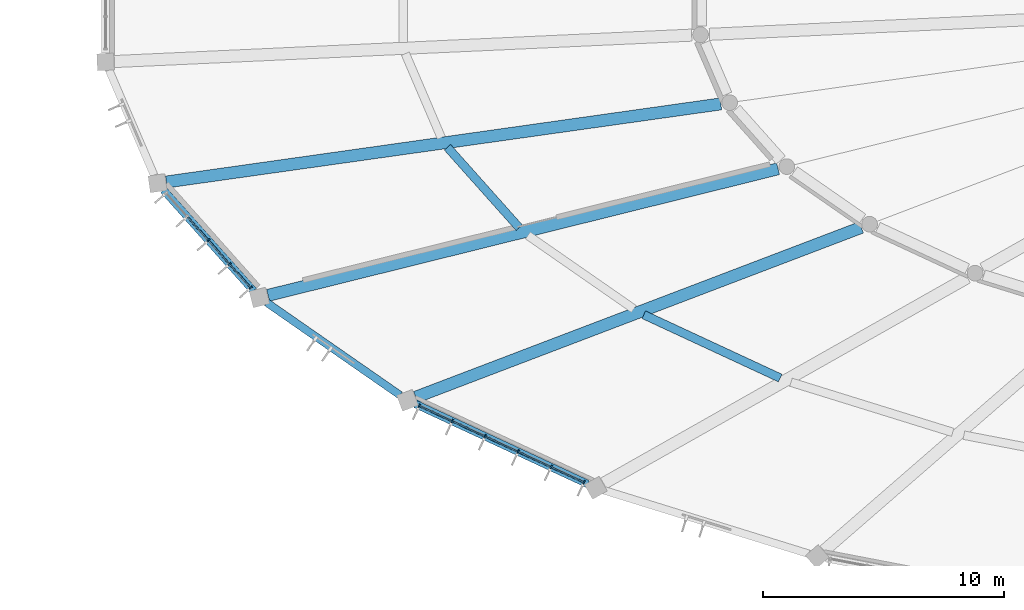
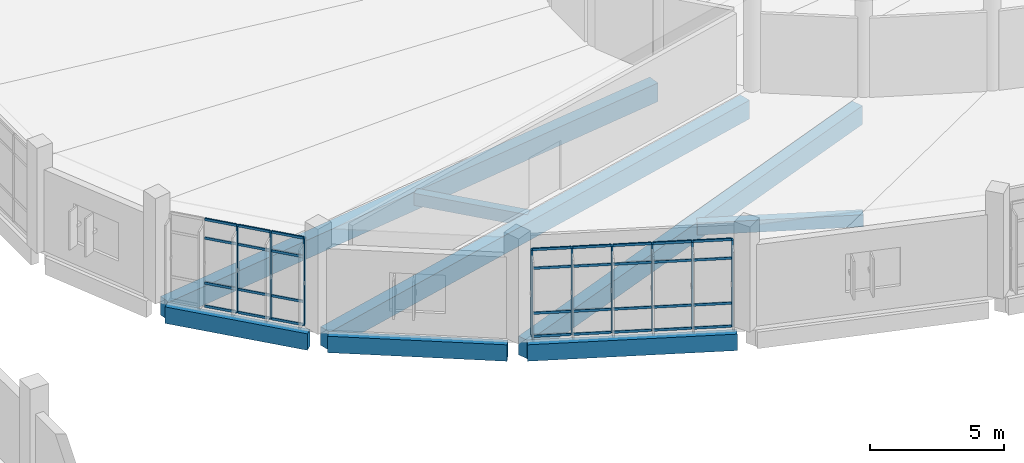
# One storey, part 32 of 179: 41 members, 8 beams, 2 elements without a shape of their own.
"""IFC4 building model written with IfcOpenShell, lengths in metres."""

from ifc_helpers import new_model, si_unit, direction, frame, origin, origin_2d, place, context, subcontext, project, spatial, rectangle, extrude, material, layer, layer_set, material_profile, profile_set, type_object, element, aggregate, save


model = new_model("IFC4")

# Units and contexts
model_context = context("Model", 3, precision=1e-05, world=origin(), true_north=direction((0.0, 1.0)))
body_context = subcontext(model_context, "Body", "Model", "MODEL_VIEW")
ifc_project = project(units=[si_unit("LENGTHUNIT", "METRE"), si_unit("AREAUNIT", "SQUARE_METRE"), si_unit("VOLUMEUNIT", "CUBIC_METRE"), si_unit("PLANEANGLEUNIT", "RADIAN"), si_unit("MASSUNIT", "GRAM", prefix="KILO")], contexts=[model_context])

# Site, building, storey
site_placement = place(None, origin())
site = spatial("IfcSite", under=ifc_project, at=site_placement, CompositionType="ELEMENT")
building_placement = place(site_placement, origin())
building = spatial("IfcBuilding", under=site, at=building_placement, Name="Corvandel Quay Wholesale Market", CompositionType="ELEMENT")
storey_placement = place(building_placement, frame((0.0, 0.0, 6.0)))
storey = spatial("IfcBuildingStorey", under=building, at=storey_placement, Name="L01", CompositionType="ELEMENT", Elevation=6.0)

# Curtain wall, members
ifc_material_1 = material(Name="Bronze anodised aluminium and low-E insulated glazing", Category="aluminium")
ifc_layer_1 = layer(ifc_material_1, 0.197998046875)
ifc_layer_set_1 = layer_set([ifc_layer_1], Name="Bronze anodised aluminium and low-E insulated glazing")
curtain_wall_type_1 = type_object("IfcCurtainWallType", Name="Stick Curtain Wall System CW24 H5160", PredefinedType="NOTDEFINED", material=ifc_layer_set_1)
curtain_wall_1_placement = place(storey_placement, origin())
curtain_wall_1 = element("IfcCurtainWall", 1, at=curtain_wall_1_placement, inside=storey, type_object=curtain_wall_type_1, Name="Curtain Wall CW-0105", PredefinedType="NOTDEFINED")
ifc_material_2 = material(Name="Anodised aluminium 6063-T6", Category="aluminium")
ifc_material_profile_1 = material_profile(ifc_material_2, rectangle(XDim=0.06494140625, YDim=0.14990234375, at=origin_2d()), Name="ALU-MUL-65x150")
ifc_profile_set_1 = profile_set([ifc_material_profile_1], Name="Anodised aluminium 6063-T6")
member_type_1 = type_object("IfcMemberType", Name="Curtain Wall Mullion ML02 65x150", PredefinedType="MULLION", material=ifc_profile_set_1)
member_1_placement = place(storey_placement, frame((62.262451171875, 106.050048828125, 0.0), z_axis=(0.0, 0.0, 1.0), x_axis=(-0.665621202286, 0.746289766155, 0.0)))
member_1 = element("IfcMember", 2, at=member_1_placement, type_object=member_type_1, Name="Mullion CW-0105-M02", PredefinedType="MULLION", context=body_context, shape_type="SweptSolid", body=[
    extrude(rectangle(XDim=0.06494140625, YDim=0.14990234375, at=origin_2d()), origin(), (0.0, 0.0, 1.0), 3.949951171875),
])
member_2_placement = place(storey_placement, frame((63.137939453125, 105.068603515625, 0.0), z_axis=(0.0, 0.0, 1.0), x_axis=(-0.665621202286, 0.746289766155, 0.0)))
member_2 = element("IfcMember", 3, at=member_2_placement, type_object=member_type_1, Name="Mullion CW-0105-M03", PredefinedType="MULLION", context=body_context, shape_type="SweptSolid", body=[
    extrude(rectangle(XDim=0.06494140625, YDim=0.14990234375, at=origin_2d()), origin(), (0.0, 0.0, 1.0), 3.949951171875),
])
member_3_placement = place(storey_placement, frame((64.013671875, 104.0869140625, 0.0), z_axis=(0.0, 0.0, 1.0), x_axis=(-0.665621202286, 0.746289766155, 0.0)))
member_3 = element("IfcMember", 4, at=member_3_placement, type_object=member_type_1, Name="Mullion CW-0105-M04", PredefinedType="MULLION", context=body_context, shape_type="SweptSolid", body=[
    extrude(rectangle(XDim=0.06494140625, YDim=0.14990234375, at=origin_2d()), origin(), (0.0, 0.0, 1.0), 3.949951171875),
])

ifc_layer_2 = layer(ifc_material_1, 0.162109375)
ifc_layer_set_2 = layer_set([ifc_layer_2], Name="Bronze anodised aluminium and low-E insulated glazing")
curtain_wall_type_2 = type_object("IfcCurtainWallType", Name="Stick Curtain Wall System CW26 H5340", PredefinedType="NOTDEFINED", material=ifc_layer_set_2)
curtain_wall_2_placement = place(storey_placement, origin())
curtain_wall_2 = element("IfcCurtainWall", 5, at=curtain_wall_2_placement, inside=storey, type_object=curtain_wall_type_2, Name="Curtain Wall CW-0107", PredefinedType="NOTDEFINED")
member_4_placement = place(storey_placement, frame((70.99169921875, 99.198486328125, 0.0), z_axis=(0.0, 0.0, 1.0), x_axis=(-0.906970515865, 0.421194115999, 0.0)))
member_4 = element("IfcMember", 6, at=member_4_placement, type_object=member_type_1, Name="Mullion CW-0107-M00", PredefinedType="MULLION", context=body_context, shape_type="SweptSolid", body=[
    extrude(rectangle(XDim=0.06494140625, YDim=0.14990234375, at=origin_2d()), origin(), (0.0, 0.0, 1.0), 3.949951171875),
])
member_5_placement = place(storey_placement, frame((72.35595703125, 98.565185546875, 0.0), z_axis=(0.0, 0.0, 1.0), x_axis=(-0.906970515865, 0.421194115999, 0.0)))
member_5 = element("IfcMember", 7, at=member_5_placement, type_object=member_type_1, Name="Mullion CW-0107-M01", PredefinedType="MULLION", context=body_context, shape_type="SweptSolid", body=[
    extrude(rectangle(XDim=0.06494140625, YDim=0.14990234375, at=origin_2d()), origin(), (0.0, 0.0, 1.0), 3.949951171875),
])
member_6_placement = place(storey_placement, frame((73.719970703125, 97.931640625, 0.0), z_axis=(0.0, 0.0, 1.0), x_axis=(-0.906970515865, 0.421194115999, 0.0)))
member_6 = element("IfcMember", 8, at=member_6_placement, type_object=member_type_1, Name="Mullion CW-0107-M02", PredefinedType="MULLION", context=body_context, shape_type="SweptSolid", body=[
    extrude(rectangle(XDim=0.06494140625, YDim=0.14990234375, at=origin_2d()), origin(), (0.0, 0.0, 1.0), 3.949951171875),
])
member_7_placement = place(storey_placement, frame((75.083984375, 97.29833984375, 0.0), z_axis=(0.0, 0.0, 1.0), x_axis=(-0.906970515865, 0.421194115999, 0.0)))
member_7 = element("IfcMember", 9, at=member_7_placement, type_object=member_type_1, Name="Mullion CW-0107-M03", PredefinedType="MULLION", context=body_context, shape_type="SweptSolid", body=[
    extrude(rectangle(XDim=0.06494140625, YDim=0.14990234375, at=origin_2d()), origin(), (0.0, 0.0, 1.0), 3.949951171875),
])
member_8_placement = place(storey_placement, frame((76.447998046875, 96.664794921875, 0.0), z_axis=(0.0, 0.0, 1.0), x_axis=(-0.906970515865, 0.421194115999, 0.0)))
member_8 = element("IfcMember", 10, at=member_8_placement, type_object=member_type_1, Name="Mullion CW-0107-M04", PredefinedType="MULLION", context=body_context, shape_type="SweptSolid", body=[
    extrude(rectangle(XDim=0.06494140625, YDim=0.14990234375, at=origin_2d()), origin(), (0.0, 0.0, 1.0), 3.949951171875),
])
member_9_placement = place(storey_placement, frame((77.812255859375, 96.031494140625, 0.0), z_axis=(0.0, 0.0, 1.0), x_axis=(-0.906970515865, 0.421194115999, 0.0)))
member_9 = element("IfcMember", 11, at=member_9_placement, type_object=member_type_1, Name="Mullion CW-0107-M05", PredefinedType="MULLION", context=body_context, shape_type="SweptSolid", body=[
    extrude(rectangle(XDim=0.06494140625, YDim=0.14990234375, at=origin_2d()), origin(), (0.0, 0.0, 1.0), 3.949951171875),
])

# Member
ifc_material_profile_2 = material_profile(ifc_material_2, rectangle(XDim=0.06005859375, YDim=0.110107421875, at=origin_2d()), Name="ALU-TRN-60x110")
ifc_profile_set_2 = profile_set([ifc_material_profile_2], Name="Anodised aluminium 6063-T6")
member_type_2 = type_object("IfcMemberType", Name="Curtain Wall Transom TR02 60x110", PredefinedType="USERDEFINED", material=ifc_profile_set_2)
member_10_placement = place(storey_placement, frame((61.40869140625, 107.007080078125, 0.0), z_axis=(0.665732423865, -0.746190551947, 0.0), x_axis=(0.746190551947, 0.665732423865, 0.0)))
member_10 = element("IfcMember", 12, at=member_10_placement, type_object=member_type_2, Name="Transom CW-0105-T01-0", ObjectType="TRANSOM", PredefinedType="USERDEFINED", context=body_context, shape_type="SweptSolid", body=[
    extrude(rectangle(XDim=0.06005859375, YDim=0.110107421875, at=origin_2d()), origin(), (0.0, 0.0, 1.0), 1.250244140625),
])

member_11_placement = place(storey_placement, frame((61.40869140625, 107.007080078125, 1.050048828125), z_axis=(0.665732423865, -0.746190551947, 0.0), x_axis=(0.746190551947, 0.665732423865, 0.0)))
member_11 = element("IfcMember", 13, at=member_11_placement, type_object=member_type_2, Name="Transom CW-0105-T01-1", ObjectType="TRANSOM", PredefinedType="USERDEFINED", context=body_context, shape_type="SweptSolid", body=[
    extrude(rectangle(XDim=0.06005859375, YDim=0.110107421875, at=origin_2d()), origin(), (0.0, 0.0, 1.0), 1.250244140625),
])

member_12_placement = place(storey_placement, frame((61.40869140625, 107.007080078125, 3.10009765625), z_axis=(0.665732423865, -0.746190551947, 0.0), x_axis=(0.746190551947, 0.665732423865, 0.0)))
member_12 = element("IfcMember", 14, at=member_12_placement, type_object=member_type_2, Name="Transom CW-0105-T01-2", ObjectType="TRANSOM", PredefinedType="USERDEFINED", context=body_context, shape_type="SweptSolid", body=[
    extrude(rectangle(XDim=0.06005859375, YDim=0.110107421875, at=origin_2d()), origin(), (0.0, 0.0, 1.0), 1.250244140625),
])

member_13_placement = place(storey_placement, frame((61.40869140625, 107.007080078125, 3.949951171875), z_axis=(0.665732423865, -0.746190551947, 0.0), x_axis=(0.746190551947, 0.665732423865, 0.0)))
member_13 = element("IfcMember", 15, at=member_13_placement, type_object=member_type_2, Name="Transom CW-0105-T01-3", ObjectType="TRANSOM", PredefinedType="USERDEFINED", context=body_context, shape_type="SweptSolid", body=[
    extrude(rectangle(XDim=0.06005859375, YDim=0.110107421875, at=origin_2d()), origin(), (0.0, 0.0, 1.0), 1.250244140625),
])

member_14_placement = place(storey_placement, frame((62.2841796875, 106.025634765625, 0.0), z_axis=(0.665732423865, -0.746190551947, 0.0), x_axis=(0.746190551947, 0.665732423865, 0.0)))
member_14 = element("IfcMember", 16, at=member_14_placement, type_object=member_type_2, Name="Transom CW-0105-T02-0", ObjectType="TRANSOM", PredefinedType="USERDEFINED", context=body_context, shape_type="SweptSolid", body=[
    extrude(rectangle(XDim=0.06005859375, YDim=0.110107421875, at=origin_2d()), origin(), (0.0, 0.0, 1.0), 1.250244140625),
])

member_15_placement = place(storey_placement, frame((62.2841796875, 106.025634765625, 1.050048828125), z_axis=(0.665732423865, -0.746190551947, 0.0), x_axis=(0.746190551947, 0.665732423865, 0.0)))
member_15 = element("IfcMember", 17, at=member_15_placement, type_object=member_type_2, Name="Transom CW-0105-T02-1", ObjectType="TRANSOM", PredefinedType="USERDEFINED", context=body_context, shape_type="SweptSolid", body=[
    extrude(rectangle(XDim=0.06005859375, YDim=0.110107421875, at=origin_2d()), origin(), (0.0, 0.0, 1.0), 1.250244140625),
])

member_16_placement = place(storey_placement, frame((62.2841796875, 106.025634765625, 3.10009765625), z_axis=(0.665732423865, -0.746190551947, 0.0), x_axis=(0.746190551947, 0.665732423865, 0.0)))
member_16 = element("IfcMember", 18, at=member_16_placement, type_object=member_type_2, Name="Transom CW-0105-T02-2", ObjectType="TRANSOM", PredefinedType="USERDEFINED", context=body_context, shape_type="SweptSolid", body=[
    extrude(rectangle(XDim=0.06005859375, YDim=0.110107421875, at=origin_2d()), origin(), (0.0, 0.0, 1.0), 1.250244140625),
])

member_17_placement = place(storey_placement, frame((62.2841796875, 106.025634765625, 3.949951171875), z_axis=(0.665732423865, -0.746190551947, 0.0), x_axis=(0.746190551947, 0.665732423865, 0.0)))
member_17 = element("IfcMember", 19, at=member_17_placement, type_object=member_type_2, Name="Transom CW-0105-T02-3", ObjectType="TRANSOM", PredefinedType="USERDEFINED", context=body_context, shape_type="SweptSolid", body=[
    extrude(rectangle(XDim=0.06005859375, YDim=0.110107421875, at=origin_2d()), origin(), (0.0, 0.0, 1.0), 1.250244140625),
])

member_18_placement = place(storey_placement, frame((63.15966796875, 105.044189453125, 0.0), z_axis=(0.665732423865, -0.746190551947, 0.0), x_axis=(0.746190551947, 0.665732423865, 0.0)))
member_18 = element("IfcMember", 20, at=member_18_placement, type_object=member_type_2, Name="Transom CW-0105-T03-0", ObjectType="TRANSOM", PredefinedType="USERDEFINED", context=body_context, shape_type="SweptSolid", body=[
    extrude(rectangle(XDim=0.06005859375, YDim=0.110107421875, at=origin_2d()), origin(), (0.0, 0.0, 1.0), 1.250244140625),
])

member_19_placement = place(storey_placement, frame((63.15966796875, 105.044189453125, 1.050048828125), z_axis=(0.665732423865, -0.746190551947, 0.0), x_axis=(0.746190551947, 0.665732423865, 0.0)))
member_19 = element("IfcMember", 21, at=member_19_placement, type_object=member_type_2, Name="Transom CW-0105-T03-1", ObjectType="TRANSOM", PredefinedType="USERDEFINED", context=body_context, shape_type="SweptSolid", body=[
    extrude(rectangle(XDim=0.06005859375, YDim=0.110107421875, at=origin_2d()), origin(), (0.0, 0.0, 1.0), 1.250244140625),
])

member_20_placement = place(storey_placement, frame((63.15966796875, 105.044189453125, 3.10009765625), z_axis=(0.665732423865, -0.746190551947, 0.0), x_axis=(0.746190551947, 0.665732423865, 0.0)))
member_20 = element("IfcMember", 22, at=member_20_placement, type_object=member_type_2, Name="Transom CW-0105-T03-2", ObjectType="TRANSOM", PredefinedType="USERDEFINED", context=body_context, shape_type="SweptSolid", body=[
    extrude(rectangle(XDim=0.06005859375, YDim=0.110107421875, at=origin_2d()), origin(), (0.0, 0.0, 1.0), 1.250244140625),
])

member_21_placement = place(storey_placement, frame((63.15966796875, 105.044189453125, 3.949951171875), z_axis=(0.665732423865, -0.746190551947, 0.0), x_axis=(0.746190551947, 0.665732423865, 0.0)))
member_21 = element("IfcMember", 23, at=member_21_placement, type_object=member_type_2, Name="Transom CW-0105-T03-3", ObjectType="TRANSOM", PredefinedType="USERDEFINED", context=body_context, shape_type="SweptSolid", body=[
    extrude(rectangle(XDim=0.06005859375, YDim=0.110107421875, at=origin_2d()), origin(), (0.0, 0.0, 1.0), 1.250244140625),
])

aggregate(curtain_wall_1, [member_1, member_2, member_3, member_10, member_11, member_12, member_13, member_14, member_15, member_16, member_17, member_18, member_19, member_20, member_21])

member_22_placement = place(storey_placement, frame((71.021240234375, 99.184814453125, 0.0), z_axis=(0.90701359646, -0.421101336778, 0.0), x_axis=(0.421101336778, 0.90701359646, 0.0)))
member_22 = element("IfcMember", 24, at=member_22_placement, type_object=member_type_2, Name="Transom CW-0107-T00-0", ObjectType="TRANSOM", PredefinedType="USERDEFINED", context=body_context, shape_type="SweptSolid", body=[
    extrude(rectangle(XDim=0.06005859375, YDim=0.110107421875, at=origin_2d()), origin(), (0.0, 0.0, 1.0), 1.43896484375),
])

member_23_placement = place(storey_placement, frame((71.021240234375, 99.184814453125, 1.050048828125), z_axis=(0.90701359646, -0.421101336778, 0.0), x_axis=(0.421101336778, 0.90701359646, 0.0)))
member_23 = element("IfcMember", 25, at=member_23_placement, type_object=member_type_2, Name="Transom CW-0107-T00-1", ObjectType="TRANSOM", PredefinedType="USERDEFINED", context=body_context, shape_type="SweptSolid", body=[
    extrude(rectangle(XDim=0.06005859375, YDim=0.110107421875, at=origin_2d()), origin(), (0.0, 0.0, 1.0), 1.43896484375),
])

member_24_placement = place(storey_placement, frame((71.021240234375, 99.184814453125, 3.10009765625), z_axis=(0.90701359646, -0.421101336778, 0.0), x_axis=(0.421101336778, 0.90701359646, 0.0)))
member_24 = element("IfcMember", 26, at=member_24_placement, type_object=member_type_2, Name="Transom CW-0107-T00-2", ObjectType="TRANSOM", PredefinedType="USERDEFINED", context=body_context, shape_type="SweptSolid", body=[
    extrude(rectangle(XDim=0.06005859375, YDim=0.110107421875, at=origin_2d()), origin(), (0.0, 0.0, 1.0), 1.43896484375),
])

member_25_placement = place(storey_placement, frame((71.021240234375, 99.184814453125, 3.949951171875), z_axis=(0.90701359646, -0.421101336778, 0.0), x_axis=(0.421101336778, 0.90701359646, 0.0)))
member_25 = element("IfcMember", 27, at=member_25_placement, type_object=member_type_2, Name="Transom CW-0107-T00-3", ObjectType="TRANSOM", PredefinedType="USERDEFINED", context=body_context, shape_type="SweptSolid", body=[
    extrude(rectangle(XDim=0.06005859375, YDim=0.110107421875, at=origin_2d()), origin(), (0.0, 0.0, 1.0), 1.43896484375),
])

member_26_placement = place(storey_placement, frame((72.385498046875, 98.551513671875, 0.0), z_axis=(0.90691867852, -0.421305721004, 0.0), x_axis=(0.421305721004, 0.90691867852, 0.0)))
member_26 = element("IfcMember", 28, at=member_26_placement, type_object=member_type_2, Name="Transom CW-0107-T01-0", ObjectType="TRANSOM", PredefinedType="USERDEFINED", context=body_context, shape_type="SweptSolid", body=[
    extrude(rectangle(XDim=0.06005859375, YDim=0.110107421875, at=origin_2d()), origin(), (0.0, 0.0, 1.0), 1.43896484375),
])

member_27_placement = place(storey_placement, frame((72.385498046875, 98.551513671875, 1.050048828125), z_axis=(0.90691867852, -0.421305721004, 0.0), x_axis=(0.421305721004, 0.90691867852, 0.0)))
member_27 = element("IfcMember", 29, at=member_27_placement, type_object=member_type_2, Name="Transom CW-0107-T01-1", ObjectType="TRANSOM", PredefinedType="USERDEFINED", context=body_context, shape_type="SweptSolid", body=[
    extrude(rectangle(XDim=0.06005859375, YDim=0.110107421875, at=origin_2d()), origin(), (0.0, 0.0, 1.0), 1.43896484375),
])

member_28_placement = place(storey_placement, frame((72.385498046875, 98.551513671875, 3.10009765625), z_axis=(0.90691867852, -0.421305721004, 0.0), x_axis=(0.421305721004, 0.90691867852, 0.0)))
member_28 = element("IfcMember", 30, at=member_28_placement, type_object=member_type_2, Name="Transom CW-0107-T01-2", ObjectType="TRANSOM", PredefinedType="USERDEFINED", context=body_context, shape_type="SweptSolid", body=[
    extrude(rectangle(XDim=0.06005859375, YDim=0.110107421875, at=origin_2d()), origin(), (0.0, 0.0, 1.0), 1.43896484375),
])

member_29_placement = place(storey_placement, frame((72.385498046875, 98.551513671875, 3.949951171875), z_axis=(0.90691867852, -0.421305721004, 0.0), x_axis=(0.421305721004, 0.90691867852, 0.0)))
member_29 = element("IfcMember", 31, at=member_29_placement, type_object=member_type_2, Name="Transom CW-0107-T01-3", ObjectType="TRANSOM", PredefinedType="USERDEFINED", context=body_context, shape_type="SweptSolid", body=[
    extrude(rectangle(XDim=0.06005859375, YDim=0.110107421875, at=origin_2d()), origin(), (0.0, 0.0, 1.0), 1.43896484375),
])

member_30_placement = place(storey_placement, frame((73.74951171875, 97.91796875, 0.0), z_axis=(0.90701359646, -0.421101336778, 0.0), x_axis=(0.421101336778, 0.90701359646, 0.0)))
member_30 = element("IfcMember", 32, at=member_30_placement, type_object=member_type_2, Name="Transom CW-0107-T02-0", ObjectType="TRANSOM", PredefinedType="USERDEFINED", context=body_context, shape_type="SweptSolid", body=[
    extrude(rectangle(XDim=0.06005859375, YDim=0.110107421875, at=origin_2d()), origin(), (0.0, 0.0, 1.0), 1.43896484375),
])

member_31_placement = place(storey_placement, frame((73.74951171875, 97.91796875, 1.050048828125), z_axis=(0.90701359646, -0.421101336778, 0.0), x_axis=(0.421101336778, 0.90701359646, 0.0)))
member_31 = element("IfcMember", 33, at=member_31_placement, type_object=member_type_2, Name="Transom CW-0107-T02-1", ObjectType="TRANSOM", PredefinedType="USERDEFINED", context=body_context, shape_type="SweptSolid", body=[
    extrude(rectangle(XDim=0.06005859375, YDim=0.110107421875, at=origin_2d()), origin(), (0.0, 0.0, 1.0), 1.43896484375),
])

member_32_placement = place(storey_placement, frame((73.74951171875, 97.91796875, 3.10009765625), z_axis=(0.90701359646, -0.421101336778, 0.0), x_axis=(0.421101336778, 0.90701359646, 0.0)))
member_32 = element("IfcMember", 34, at=member_32_placement, type_object=member_type_2, Name="Transom CW-0107-T02-2", ObjectType="TRANSOM", PredefinedType="USERDEFINED", context=body_context, shape_type="SweptSolid", body=[
    extrude(rectangle(XDim=0.06005859375, YDim=0.110107421875, at=origin_2d()), origin(), (0.0, 0.0, 1.0), 1.43896484375),
])

member_33_placement = place(storey_placement, frame((73.74951171875, 97.91796875, 3.949951171875), z_axis=(0.90701359646, -0.421101336778, 0.0), x_axis=(0.421101336778, 0.90701359646, 0.0)))
member_33 = element("IfcMember", 35, at=member_33_placement, type_object=member_type_2, Name="Transom CW-0107-T02-3", ObjectType="TRANSOM", PredefinedType="USERDEFINED", context=body_context, shape_type="SweptSolid", body=[
    extrude(rectangle(XDim=0.06005859375, YDim=0.110107421875, at=origin_2d()), origin(), (0.0, 0.0, 1.0), 1.43896484375),
])

member_34_placement = place(storey_placement, frame((75.113525390625, 97.28466796875, 0.0), z_axis=(0.906948788823, -0.421240898363, 0.0), x_axis=(0.421240898363, 0.906948788823, 0.0)))
member_34 = element("IfcMember", 36, at=member_34_placement, type_object=member_type_2, Name="Transom CW-0107-T03-0", ObjectType="TRANSOM", PredefinedType="USERDEFINED", context=body_context, shape_type="SweptSolid", body=[
    extrude(rectangle(XDim=0.06005859375, YDim=0.110107421875, at=origin_2d()), origin(), (0.0, 0.0, 1.0), 1.43896484375),
])

member_35_placement = place(storey_placement, frame((75.113525390625, 97.28466796875, 1.050048828125), z_axis=(0.906948788823, -0.421240898363, 0.0), x_axis=(0.421240898363, 0.906948788823, 0.0)))
member_35 = element("IfcMember", 37, at=member_35_placement, type_object=member_type_2, Name="Transom CW-0107-T03-1", ObjectType="TRANSOM", PredefinedType="USERDEFINED", context=body_context, shape_type="SweptSolid", body=[
    extrude(rectangle(XDim=0.06005859375, YDim=0.110107421875, at=origin_2d()), origin(), (0.0, 0.0, 1.0), 1.43896484375),
])

member_36_placement = place(storey_placement, frame((75.113525390625, 97.28466796875, 3.10009765625), z_axis=(0.906948788823, -0.421240898363, 0.0), x_axis=(0.421240898363, 0.906948788823, 0.0)))
member_36 = element("IfcMember", 38, at=member_36_placement, type_object=member_type_2, Name="Transom CW-0107-T03-2", ObjectType="TRANSOM", PredefinedType="USERDEFINED", context=body_context, shape_type="SweptSolid", body=[
    extrude(rectangle(XDim=0.06005859375, YDim=0.110107421875, at=origin_2d()), origin(), (0.0, 0.0, 1.0), 1.43896484375),
])

member_37_placement = place(storey_placement, frame((75.113525390625, 97.28466796875, 3.949951171875), z_axis=(0.906948788823, -0.421240898363, 0.0), x_axis=(0.421240898363, 0.906948788823, 0.0)))
member_37 = element("IfcMember", 39, at=member_37_placement, type_object=member_type_2, Name="Transom CW-0107-T03-3", ObjectType="TRANSOM", PredefinedType="USERDEFINED", context=body_context, shape_type="SweptSolid", body=[
    extrude(rectangle(XDim=0.06005859375, YDim=0.110107421875, at=origin_2d()), origin(), (0.0, 0.0, 1.0), 1.43896484375),
])

member_38_placement = place(storey_placement, frame((76.4775390625, 96.651123046875, 0.0), z_axis=(0.90701359646, -0.421101336778, 0.0), x_axis=(0.421101336778, 0.90701359646, 0.0)))
member_38 = element("IfcMember", 40, at=member_38_placement, type_object=member_type_2, Name="Transom CW-0107-T04-0", ObjectType="TRANSOM", PredefinedType="USERDEFINED", context=body_context, shape_type="SweptSolid", body=[
    extrude(rectangle(XDim=0.06005859375, YDim=0.110107421875, at=origin_2d()), origin(), (0.0, 0.0, 1.0), 1.43896484375),
])

member_39_placement = place(storey_placement, frame((76.4775390625, 96.651123046875, 1.050048828125), z_axis=(0.90701359646, -0.421101336778, 0.0), x_axis=(0.421101336778, 0.90701359646, 0.0)))
member_39 = element("IfcMember", 41, at=member_39_placement, type_object=member_type_2, Name="Transom CW-0107-T04-1", ObjectType="TRANSOM", PredefinedType="USERDEFINED", context=body_context, shape_type="SweptSolid", body=[
    extrude(rectangle(XDim=0.06005859375, YDim=0.110107421875, at=origin_2d()), origin(), (0.0, 0.0, 1.0), 1.43896484375),
])

member_40_placement = place(storey_placement, frame((76.4775390625, 96.651123046875, 3.10009765625), z_axis=(0.90701359646, -0.421101336778, 0.0), x_axis=(0.421101336778, 0.90701359646, 0.0)))
member_40 = element("IfcMember", 42, at=member_40_placement, type_object=member_type_2, Name="Transom CW-0107-T04-2", ObjectType="TRANSOM", PredefinedType="USERDEFINED", context=body_context, shape_type="SweptSolid", body=[
    extrude(rectangle(XDim=0.06005859375, YDim=0.110107421875, at=origin_2d()), origin(), (0.0, 0.0, 1.0), 1.43896484375),
])

member_41_placement = place(storey_placement, frame((76.4775390625, 96.651123046875, 3.949951171875), z_axis=(0.90701359646, -0.421101336778, 0.0), x_axis=(0.421101336778, 0.90701359646, 0.0)))
member_41 = element("IfcMember", 43, at=member_41_placement, type_object=member_type_2, Name="Transom CW-0107-T04-3", ObjectType="TRANSOM", PredefinedType="USERDEFINED", context=body_context, shape_type="SweptSolid", body=[
    extrude(rectangle(XDim=0.06005859375, YDim=0.110107421875, at=origin_2d()), origin(), (0.0, 0.0, 1.0), 1.43896484375),
])

aggregate(curtain_wall_2, [member_4, member_5, member_6, member_7, member_8, member_9, member_22, member_23, member_24, member_25, member_26, member_27, member_28, member_29, member_30, member_31, member_32, member_33, member_34, member_35, member_36, member_37, member_38, member_39, member_40, member_41])

# Beams
ifc_material_3 = material(Name="Precast concrete C45/55", Category="concrete")
ifc_material_profile_3 = material_profile(ifc_material_3, rectangle(XDim=0.5, YDim=0.85009765625, at=origin_2d()), Name="PC-GIR-500x850")
ifc_profile_set_3 = profile_set([ifc_material_profile_3], Name="Precast concrete C45/55")
beam_type_1 = type_object("IfcBeamType", Name="Fish Hall Radial Girder G04 500x850", PredefinedType="USERDEFINED", material=ifc_profile_set_3)
beam_1_placement = place(storey_placement, frame((60.518310546875, 108.467529296875, -0.705078125), z_axis=(0.990226177407, 0.139470848487, 0.0), x_axis=(-0.139470848487, 0.990226177407, 0.0)))
element("IfcBeam", 44, at=beam_1_placement, inside=storey, type_object=beam_type_1, Name="Beam BM-0641", ObjectType="GIRDER", PredefinedType="USERDEFINED", context=body_context, shape_type="SweptSolid", body=[
    extrude(rectangle(XDim=0.5, YDim=0.85009765625, at=origin_2d()), origin(), (0.0, 0.0, 1.0), 23.186767578125),
])
beam_2_placement = place(storey_placement, frame((64.732177734375, 103.773193359375, -0.705078125), z_axis=(0.970559518546, 0.240861414427, 0.0), x_axis=(-0.240861414427, 0.970559518546, 0.0)))
element("IfcBeam", 45, at=beam_2_placement, inside=storey, type_object=beam_type_1, Name="Beam BM-0648", ObjectType="GIRDER", PredefinedType="USERDEFINED", context=body_context, shape_type="SweptSolid", body=[
    extrude(rectangle(XDim=0.5, YDim=0.85009765625, at=origin_2d()), origin(), (0.0, 0.0, 1.0), 21.75830078125),
])
beam_3_placement = place(storey_placement, frame((70.84765625, 99.5576171875, -0.705078125), z_axis=(0.93445285879, 0.356086863979, 0.0), x_axis=(-0.356086863979, 0.93445285879, 0.0)))
element("IfcBeam", 46, at=beam_3_placement, inside=storey, type_object=beam_type_1, Name="Beam BM-0655", ObjectType="GIRDER", PredefinedType="USERDEFINED", context=body_context, shape_type="SweptSolid", body=[
    extrude(rectangle(XDim=0.5, YDim=0.85009765625, at=origin_2d()), origin(), (0.0, 0.0, 1.0), 19.74169921875),
])
ifc_material_profile_4 = material_profile(ifc_material_3, rectangle(XDim=0.320068359375, YDim=0.75, at=origin_2d()), Name="PC-SPN-320x750")
ifc_profile_set_4 = profile_set([ifc_material_profile_4], Name="Precast concrete C45/55")
beam_type_2 = type_object("IfcBeamType", Name="Pavilion Precast Spandrel SP02 320x750", PredefinedType="SPANDREL", material=ifc_profile_set_4)
beam_4_placement = place(storey_placement, frame((60.398193359375, 108.139892578125, -0.655029296875), z_axis=(0.66568308194, -0.74623457064, 0.0), x_axis=(0.74623457064, 0.66568308194, 0.0)))
element("IfcBeam", 47, at=beam_4_placement, inside=storey, type_object=beam_type_2, Name="Beam BM-0639", PredefinedType="SPANDREL", context=body_context, shape_type="SweptSolid", body=[
    extrude(rectangle(XDim=0.320068359375, YDim=0.75, at=origin_2d()), origin(), (0.0, 0.0, 1.0), 5.60107421875),
])
beam_5_placement = place(storey_placement, frame((64.677001953125, 103.472900390625, -0.655029296875), z_axis=(0.821253683959, -0.570563218744, 0.0), x_axis=(0.570563218744, 0.821253683959, 0.0)))
element("IfcBeam", 48, at=beam_5_placement, inside=storey, type_object=beam_type_2, Name="Beam BM-0646", PredefinedType="SPANDREL", context=body_context, shape_type="SweptSolid", body=[
    extrude(rectangle(XDim=0.320068359375, YDim=0.75, at=origin_2d()), origin(), (0.0, 0.0, 1.0), 6.72265625),
])
beam_6_placement = place(storey_placement, frame((70.837646484375, 99.270263671875, -0.655029296875), z_axis=(0.90696955816, -0.421196178248, 0.0), x_axis=(0.421196178248, 0.90696955816, 0.0)))
element("IfcBeam", 49, at=beam_6_placement, inside=storey, type_object=beam_type_2, Name="Beam BM-0653", PredefinedType="SPANDREL", context=body_context, shape_type="SweptSolid", body=[
    extrude(rectangle(XDim=0.320068359375, YDim=0.75, at=origin_2d()), origin(), (0.0, 0.0, 1.0), 7.85986328125),
])
ifc_material_profile_5 = material_profile(ifc_material_3, rectangle(XDim=0.35009765625, YDim=0.550048828125, at=origin_2d()), Name="PC-BM-350x550")
ifc_profile_set_5 = profile_set([ifc_material_profile_5], Name="Precast concrete C45/55")
beam_type_3 = type_object("IfcBeamType", Name="Standard Floor Secondary Beam B03 350x550", PredefinedType="BEAM", material=ifc_profile_set_5)
beam_7_placement = place(storey_placement, frame((72.158203125, 109.905517578125, -0.554931640625), z_axis=(0.665642000542, -0.746271215521, 0.0), x_axis=(0.746271215521, 0.665642000542, 0.0)))
element("IfcBeam", 50, at=beam_7_placement, inside=storey, type_object=beam_type_3, Name="Beam BM-0642", PredefinedType="BEAM", context=body_context, shape_type="SweptSolid", body=[
    extrude(rectangle(XDim=0.35009765625, YDim=0.550048828125, at=origin_2d()), origin(), (0.0, 0.0, 1.0), 4.46630859375),
])
beam_8_placement = place(storey_placement, frame((80.289306640625, 102.971435546875, -0.554931640625), z_axis=(0.906989715191, -0.421152771019, 0.0), x_axis=(0.421152771019, 0.906989715191, 0.0)))
element("IfcBeam", 51, at=beam_8_placement, inside=storey, type_object=beam_type_3, Name="Beam BM-0656", PredefinedType="BEAM", context=body_context, shape_type="SweptSolid", body=[
    extrude(rectangle(XDim=0.35009765625, YDim=0.550048828125, at=origin_2d()), origin(), (0.0, 0.0, 1.0), 6.227783203125),
])

save(model, "model.ifc")
